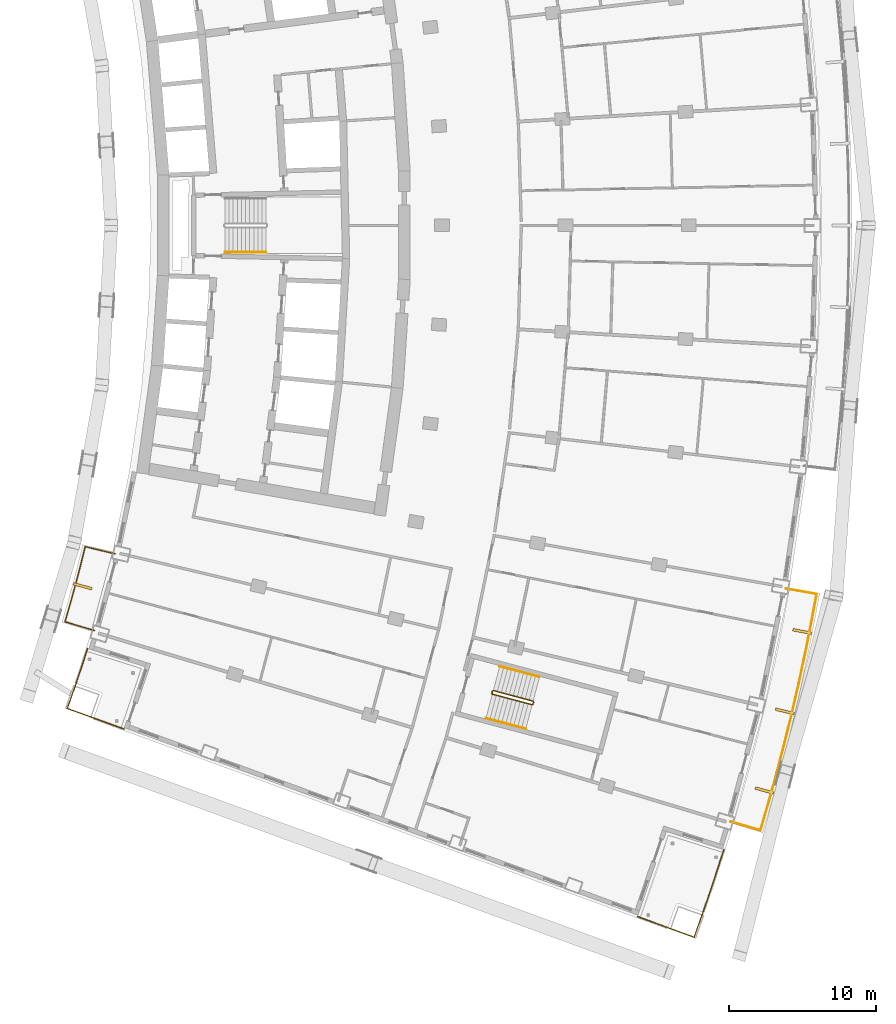
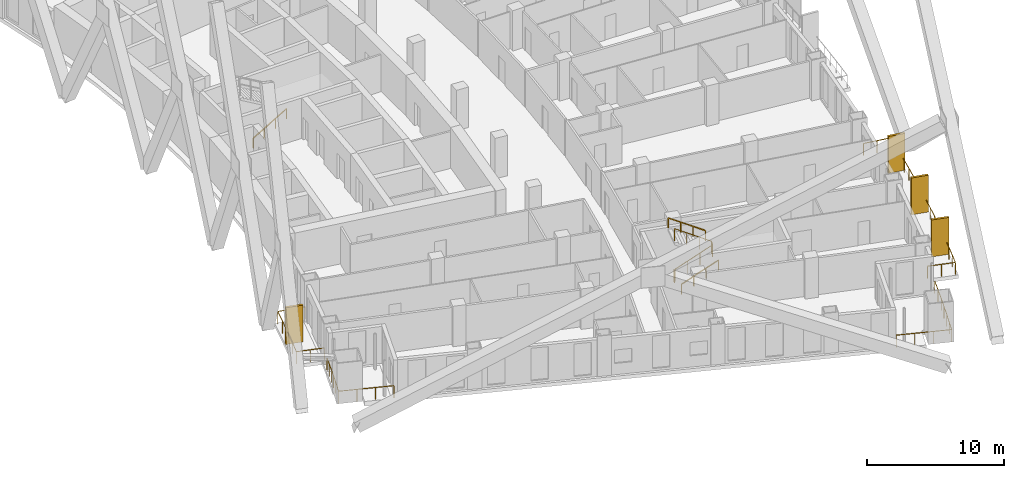
# One storey, part 22 of 24: 8 railings, 4 shading devices.
"""IFC4 building model written with IfcOpenShell, lengths in metres."""

from ifc_helpers import new_model, si_unit, direction, frame, origin, origin_with_axes, origin_2d, place, context, subcontext, project, spatial, rectangle, extrude, material, layer, layer_set, type_object, element, save


model = new_model("IFC4")

# Units and contexts
model_context = context("Model", 3, precision=1e-05, world=origin(), true_north=direction((0.0, 1.0)))
body_context = subcontext(model_context, "Body", "Model", "MODEL_VIEW")
ifc_project = project(units=[si_unit("LENGTHUNIT", "METRE"), si_unit("AREAUNIT", "SQUARE_METRE"), si_unit("VOLUMEUNIT", "CUBIC_METRE"), si_unit("PLANEANGLEUNIT", "RADIAN"), si_unit("MASSUNIT", "GRAM", prefix="KILO")], contexts=[model_context])

# Site, building, storey
site_placement = place(None, origin())
site = spatial("IfcSite", under=ifc_project, at=site_placement, CompositionType="ELEMENT")
building_placement = place(site_placement, origin())
building = spatial("IfcBuilding", under=site, at=building_placement, Name="Alderwake Tower", CompositionType="ELEMENT")
storey_placement = place(building_placement, frame((0.0, 0.0, 104.0)))
storey = spatial("IfcBuildingStorey", under=building, at=storey_placement, Name="L25", CompositionType="ELEMENT", Elevation=104.0)

# Railings
ifc_material_1 = material(Name="Stainless steel 316 rail and posts", Category="steel")
railing_type_1 = type_object("IfcRailingType", Name="Balcony guard 1100", PredefinedType="GUARDRAIL", material=ifc_material_1)
railing_1_placement = place(storey_placement, frame((55.456298828125, 20.43505859375, 0.0)))
element("IfcRailing", 1, at=railing_1_placement, inside=storey, type_object=railing_type_1, Name="Guard BF02", PredefinedType="GUARDRAIL", context=body_context, shape_type="SweptSolid", body=[
    extrude(rectangle(XDim=0.048095703125, YDim=0.048095703125, at=origin_2d()), frame((0.0, 0.0, 1.076171875), z_axis=(0.957954179098, -0.286921227429, 0.0), x_axis=(0.286921227429, 0.957954179098, 0.0)), (0.0, 0.0, 1.0), 2.10009765625),
    extrude(rectangle(XDim=0.048095703125, YDim=0.048095703125, at=origin_2d()), frame((2.01171875, -0.6025390625, 1.076171875), z_axis=(0.28031519248, 0.95990801271, 0.0), x_axis=(-0.95990801271, 0.28031519248, 0.0)), (0.0, 0.0, 1.0), 1.99267578125),
    extrude(rectangle(XDim=0.048095703125, YDim=0.048095703125, at=origin_2d()), frame((2.5703125, 1.310302734375, 1.076171875), z_axis=(0.266452319336, 0.963848100854, 0.0), x_axis=(-0.963848100854, 0.266452319336, 0.0)), (0.0, 0.0, 1.0), 2.0927734375),
    extrude(rectangle(XDim=0.048095703125, YDim=0.048095703125, at=origin_2d()), frame((3.1279296875, 3.327392578125, 1.076171875), z_axis=(0.252459890033, 0.967607360413, 0.0), x_axis=(-0.967607360413, 0.252459890033, 0.0)), (0.0, 0.0, 1.0), 2.0927734375),
    extrude(rectangle(XDim=0.048095703125, YDim=0.048095703125, at=origin_2d()), frame((3.65625, 5.352294921875, 1.076171875), z_axis=(0.238360646186, 0.971176710156, 0.0), x_axis=(-0.971176710156, 0.238360646186, 0.0)), (0.0, 0.0, 1.0), 2.092529296875),
    extrude(rectangle(XDim=0.048095703125, YDim=0.048095703125, at=origin_2d()), frame((4.155029296875, 7.384521484375, 1.076171875), z_axis=(0.224101157754, 0.974565888534, 0.0), x_axis=(-0.974565888534, 0.224101157754, 0.0)), (0.0, 0.0, 1.0), 2.0927734375),
    extrude(rectangle(XDim=0.048095703125, YDim=0.048095703125, at=origin_2d()), frame((4.6240234375, 9.424072265625, 1.076171875), z_axis=(0.209871658439, 0.977728943513, 0.0), x_axis=(-0.977728943513, 0.209871658439, 0.0)), (0.0, 0.0, 1.0), 2.0927734375),
    extrude(rectangle(XDim=0.048095703125, YDim=0.048095703125, at=origin_2d()), frame((5.063232421875, 11.47021484375, 1.076171875), z_axis=(0.195644970766, 0.980674790853, 0.0), x_axis=(-0.980674790853, 0.195644970766, 0.0)), (0.0, 0.0, 1.0), 2.0927734375),
    extrude(rectangle(XDim=0.048095703125, YDim=0.048095703125, at=origin_2d()), frame((5.47265625, 13.5224609375, 1.076171875), z_axis=(0.181580290722, 0.983376122357, 0.0), x_axis=(-0.983376122357, 0.181580290722, 0.0)), (0.0, 0.0, 1.0), 1.99267578125),
    extrude(rectangle(XDim=0.048095703125, YDim=0.048095703125, at=origin_2d()), frame((5.83447265625, 15.48193359375, 1.076171875), z_axis=(-0.984594547275, 0.174853016779, 0.0), x_axis=(-0.174853016779, -0.984594547275, 0.0)), (0.0, 0.0, 1.0), 2.10009765625),
    extrude(rectangle(XDim=0.0419921875, YDim=0.0419921875, at=origin_2d()), frame((0.0, 0.0, 0.0), z_axis=(0.0, 0.0, 1.0), x_axis=(0.957954179098, -0.286921227429, 0.0)), (0.0, 0.0, 1.0), 1.052001953125),
    extrude(rectangle(XDim=0.0419921875, YDim=0.0419921875, at=origin_2d()), frame((1.005859375, -0.30126953125, 0.0), z_axis=(0.0, 0.0, 1.0), x_axis=(0.957954179098, -0.286921227429, 0.0)), (0.0, 0.0, 1.0), 1.052001953125),
    extrude(rectangle(XDim=0.0419921875, YDim=0.0419921875, at=origin_2d()), frame((2.01171875, -0.6025390625, 0.0), z_axis=(0.0, 0.0, 1.0), x_axis=(0.28031519248, 0.95990801271, 0.0)), (0.0, 0.0, 1.0), 1.052001953125),
    extrude(rectangle(XDim=0.0419921875, YDim=0.0419921875, at=origin_2d()), frame((2.291015625, 0.35400390625, 0.0), z_axis=(0.0, 0.0, 1.0), x_axis=(0.28031519248, 0.95990801271, 0.0)), (0.0, 0.0, 1.0), 1.052001953125),
    extrude(rectangle(XDim=0.0419921875, YDim=0.0419921875, at=origin_2d()), frame((2.5703125, 1.310302734375, 0.0), z_axis=(0.0, 0.0, 1.0), x_axis=(0.266452319336, 0.963848100854, 0.0)), (0.0, 0.0, 1.0), 1.052001953125),
    extrude(rectangle(XDim=0.0419921875, YDim=0.0419921875, at=origin_2d()), frame((2.84912109375, 2.31884765625, 0.0), z_axis=(0.0, 0.0, 1.0), x_axis=(0.266452319336, 0.963848100854, 0.0)), (0.0, 0.0, 1.0), 1.052001953125),
    extrude(rectangle(XDim=0.0419921875, YDim=0.0419921875, at=origin_2d()), frame((3.1279296875, 3.327392578125, 0.0), z_axis=(0.0, 0.0, 1.0), x_axis=(0.252459890033, 0.967607360413, 0.0)), (0.0, 0.0, 1.0), 1.052001953125),
    extrude(rectangle(XDim=0.0419921875, YDim=0.0419921875, at=origin_2d()), frame((3.39208984375, 4.33984375, 0.0), z_axis=(0.0, 0.0, 1.0), x_axis=(0.252459890033, 0.967607360413, 0.0)), (0.0, 0.0, 1.0), 1.052001953125),
    extrude(rectangle(XDim=0.0419921875, YDim=0.0419921875, at=origin_2d()), frame((3.65625, 5.352294921875, 0.0), z_axis=(0.0, 0.0, 1.0), x_axis=(0.238360646186, 0.971176710156, 0.0)), (0.0, 0.0, 1.0), 1.052001953125),
    extrude(rectangle(XDim=0.0419921875, YDim=0.0419921875, at=origin_2d()), frame((3.90576171875, 6.368408203125, 0.0), z_axis=(0.0, 0.0, 1.0), x_axis=(0.238360646186, 0.971176710156, 0.0)), (0.0, 0.0, 1.0), 1.052001953125),
    extrude(rectangle(XDim=0.0419921875, YDim=0.0419921875, at=origin_2d()), frame((4.155029296875, 7.384521484375, 0.0), z_axis=(0.0, 0.0, 1.0), x_axis=(0.224101157754, 0.974565888534, 0.0)), (0.0, 0.0, 1.0), 1.052001953125),
    extrude(rectangle(XDim=0.0419921875, YDim=0.0419921875, at=origin_2d()), frame((4.3896484375, 8.404296875, 0.0), z_axis=(0.0, 0.0, 1.0), x_axis=(0.224101157754, 0.974565888534, 0.0)), (0.0, 0.0, 1.0), 1.052001953125),
    extrude(rectangle(XDim=0.0419921875, YDim=0.0419921875, at=origin_2d()), frame((4.6240234375, 9.424072265625, 0.0), z_axis=(0.0, 0.0, 1.0), x_axis=(0.209871658439, 0.977728943513, 0.0)), (0.0, 0.0, 1.0), 1.052001953125),
    extrude(rectangle(XDim=0.0419921875, YDim=0.0419921875, at=origin_2d()), frame((4.84375, 10.447265625, 0.0), z_axis=(0.0, 0.0, 1.0), x_axis=(0.209871658439, 0.977728943513, 0.0)), (0.0, 0.0, 1.0), 1.052001953125),
    extrude(rectangle(XDim=0.0419921875, YDim=0.0419921875, at=origin_2d()), frame((5.063232421875, 11.47021484375, 0.0), z_axis=(0.0, 0.0, 1.0), x_axis=(0.195644970766, 0.980674790853, 0.0)), (0.0, 0.0, 1.0), 1.052001953125),
    extrude(rectangle(XDim=0.0419921875, YDim=0.0419921875, at=origin_2d()), frame((5.26806640625, 12.496337890625, 0.0), z_axis=(0.0, 0.0, 1.0), x_axis=(0.195644970766, 0.980674790853, 0.0)), (0.0, 0.0, 1.0), 1.052001953125),
    extrude(rectangle(XDim=0.0419921875, YDim=0.0419921875, at=origin_2d()), frame((5.47265625, 13.5224609375, 0.0), z_axis=(0.0, 0.0, 1.0), x_axis=(0.181580290722, 0.983376122357, 0.0)), (0.0, 0.0, 1.0), 1.052001953125),
    extrude(rectangle(XDim=0.0419921875, YDim=0.0419921875, at=origin_2d()), frame((5.653564453125, 14.502197265625, 0.0), z_axis=(0.0, 0.0, 1.0), x_axis=(0.181580290722, 0.983376122357, 0.0)), (0.0, 0.0, 1.0), 1.052001953125),
    extrude(rectangle(XDim=0.0419921875, YDim=0.0419921875, at=origin_2d()), frame((5.83447265625, 15.48193359375, 0.0), z_axis=(0.0, 0.0, 1.0), x_axis=(-0.984594547275, 0.174853016779, 0.0)), (0.0, 0.0, 1.0), 1.052001953125),
    extrude(rectangle(XDim=0.0419921875, YDim=0.0419921875, at=origin_2d()), frame((4.80078125, 15.66552734375, 0.0), z_axis=(0.0, 0.0, 1.0), x_axis=(-0.984594547275, 0.174853016779, 0.0)), (0.0, 0.0, 1.0), 1.052001953125),
    extrude(rectangle(XDim=0.0419921875, YDim=0.0419921875, at=origin_2d()), frame((3.766845703125, 15.84912109375, 0.0), z_axis=(0.0, 0.0, 1.0), x_axis=(-0.984594547275, 0.174853016779, 0.0)), (0.0, 0.0, 1.0), 1.052001953125),
])
railing_2_placement = place(storey_placement, frame((12.16650390625, 33.435791015625, 0.0)))
element("IfcRailing", 2, at=railing_2_placement, inside=storey, type_object=railing_type_1, Name="Guard BR02", PredefinedType="GUARDRAIL", context=body_context, shape_type="SweptSolid", body=[
    extrude(rectangle(XDim=0.048095703125, YDim=0.048095703125, at=origin_2d()), frame((0.0, 0.0, 1.076171875), z_axis=(-0.958091458885, 0.286462486918, 0.0), x_axis=(-0.286462486918, -0.958091458885, 0.0)), (0.0, 0.0, 1.0), 2.099853515625),
    extrude(rectangle(XDim=0.048095703125, YDim=0.048095703125, at=origin_2d()), frame((-2.011962890625, 0.6015625, 1.076171875), z_axis=(0.279963157487, 0.960010744966, 0.0), x_axis=(-0.960010744966, 0.279963157487, 0.0)), (0.0, 0.0, 1.0), 1.272216796875),
    extrude(rectangle(XDim=0.048095703125, YDim=0.048095703125, at=origin_2d()), frame((-1.65576171875, 1.822998046875, 1.076171875), z_axis=(0.266487604617, 0.963838345671, 0.0), x_axis=(-0.963838345671, 0.266487604617, 0.0)), (0.0, 0.0, 1.0), 1.372314453125),
    extrude(rectangle(XDim=0.048095703125, YDim=0.048095703125, at=origin_2d()), frame((-1.2900390625, 3.145751953125, 1.076171875), z_axis=(0.252487086228, 0.967600264204, 0.0), x_axis=(-0.967600264204, 0.252487086228, 0.0)), (0.0, 0.0, 1.0), 1.3720703125),
    extrude(rectangle(XDim=0.048095703125, YDim=0.048095703125, at=origin_2d()), frame((-0.943603515625, 4.473388671875, 1.076171875), z_axis=(0.238877101641, 0.971049808358, 0.0), x_axis=(-0.971049808358, 0.238877101641, 0.0)), (0.0, 0.0, 1.0), 1.2724609375),
    extrude(rectangle(XDim=0.048095703125, YDim=0.048095703125, at=origin_2d()), frame((-0.6396484375, 5.708984375, 1.076171875), z_axis=(0.972646310656, -0.232291098337, 0.0), x_axis=(0.232291098337, 0.972646310656, 0.0)), (0.0, 0.0, 1.0), 2.099853515625),
    extrude(rectangle(XDim=0.0419921875, YDim=0.0419921875, at=origin_2d()), frame((0.0, 0.0, 0.0), z_axis=(0.0, 0.0, 1.0), x_axis=(-0.958091458885, 0.286462486918, 0.0)), (0.0, 0.0, 1.0), 1.052001953125),
    extrude(rectangle(XDim=0.0419921875, YDim=0.0419921875, at=origin_2d()), frame((-1.005859375, 0.30078125, 0.0), z_axis=(0.0, 0.0, 1.0), x_axis=(-0.958091458885, 0.286462486918, 0.0)), (0.0, 0.0, 1.0), 1.052001953125),
    extrude(rectangle(XDim=0.0419921875, YDim=0.0419921875, at=origin_2d()), frame((-2.011962890625, 0.6015625, 0.0), z_axis=(0.0, 0.0, 1.0), x_axis=(0.279963157487, 0.960010744966, 0.0)), (0.0, 0.0, 1.0), 1.052001953125),
    extrude(rectangle(XDim=0.0419921875, YDim=0.0419921875, at=origin_2d()), frame((-1.65576171875, 1.822998046875, 0.0), z_axis=(0.0, 0.0, 1.0), x_axis=(0.266487604617, 0.963838345671, 0.0)), (0.0, 0.0, 1.0), 1.052001953125),
    extrude(rectangle(XDim=0.0419921875, YDim=0.0419921875, at=origin_2d()), frame((-1.2900390625, 3.145751953125, 0.0), z_axis=(0.0, 0.0, 1.0), x_axis=(0.252487086228, 0.967600264204, 0.0)), (0.0, 0.0, 1.0), 1.052001953125),
    extrude(rectangle(XDim=0.0419921875, YDim=0.0419921875, at=origin_2d()), frame((-0.943603515625, 4.473388671875, 0.0), z_axis=(0.0, 0.0, 1.0), x_axis=(0.238877101641, 0.971049808358, 0.0)), (0.0, 0.0, 1.0), 1.052001953125),
    extrude(rectangle(XDim=0.0419921875, YDim=0.0419921875, at=origin_2d()), frame((-0.6396484375, 5.708984375, 0.0), z_axis=(0.0, 0.0, 1.0), x_axis=(0.972646310656, -0.232291098337, 0.0)), (0.0, 0.0, 1.0), 1.052001953125),
    extrude(rectangle(XDim=0.0419921875, YDim=0.0419921875, at=origin_2d()), frame((0.381591796875, 5.465087890625, 0.0), z_axis=(0.0, 0.0, 1.0), x_axis=(0.972646310656, -0.232291098337, 0.0)), (0.0, 0.0, 1.0), 1.052001953125),
    extrude(rectangle(XDim=0.0419921875, YDim=0.0419921875, at=origin_2d()), frame((1.40283203125, 5.22119140625, 0.0), z_axis=(0.0, 0.0, 1.0), x_axis=(0.972646310656, -0.232291098337, 0.0)), (0.0, 0.0, 1.0), 1.052001953125),
])
railing_3_placement = place(storey_placement, frame((54.976318359375, 18.530517578125, 0.0)))
element("IfcRailing", 3, at=railing_3_placement, inside=storey, type_object=railing_type_1, Name="Guard terrace FS", PredefinedType="GUARDRAIL", context=body_context, shape_type="SweptSolid", body=[
    extrude(rectangle(XDim=0.048095703125, YDim=0.048095703125, at=origin_2d()), frame((0.0, 0.0, 1.076171875), z_axis=(-0.307736999778, -0.951471459881, 0.0), x_axis=(0.951471459881, -0.307736999778, 0.0)), (0.0, 0.0, 1.0), 2.263427734375),
    extrude(rectangle(XDim=0.048095703125, YDim=0.048095703125, at=origin_2d()), frame((-0.696533203125, -2.153564453125, 1.076171875), z_axis=(-0.322290868596, -0.946640690029, 0.0), x_axis=(0.946640690029, -0.322290868596, 0.0)), (0.0, 0.0, 1.0), 2.0634765625),
    extrude(rectangle(XDim=0.048095703125, YDim=0.048095703125, at=origin_2d()), frame((-1.361572265625, -4.10693359375, 1.076171875), z_axis=(-0.335706204484, -0.941966742656, 0.0), x_axis=(0.941966742656, -0.335706204484, 0.0)), (0.0, 0.0, 1.0), 1.963623046875),
    extrude(rectangle(XDim=0.048095703125, YDim=0.048095703125, at=origin_2d()), frame((-2.020751953125, -5.95654296875, 1.076171875), z_axis=(-0.939624669849, 0.342206779317, 0.0), x_axis=(-0.342206779317, -0.939624669849, 0.0)), (0.0, 0.0, 1.0), 4.10009765625),
    extrude(rectangle(XDim=0.0419921875, YDim=0.0419921875, at=origin_2d()), frame((0.0, 0.0, 0.0), z_axis=(0.0, 0.0, 1.0), x_axis=(-0.307736999778, -0.951471459881, 0.0)), (0.0, 0.0, 1.0), 1.052001953125),
    extrude(rectangle(XDim=0.0419921875, YDim=0.0419921875, at=origin_2d()), frame((-0.34814453125, -1.07666015625, 0.0), z_axis=(0.0, 0.0, 1.0), x_axis=(-0.307736999778, -0.951471459881, 0.0)), (0.0, 0.0, 1.0), 1.052001953125),
    extrude(rectangle(XDim=0.0419921875, YDim=0.0419921875, at=origin_2d()), frame((-0.696533203125, -2.153564453125, 0.0), z_axis=(0.0, 0.0, 1.0), x_axis=(-0.322290868596, -0.946640690029, 0.0)), (0.0, 0.0, 1.0), 1.052001953125),
    extrude(rectangle(XDim=0.0419921875, YDim=0.0419921875, at=origin_2d()), frame((-1.029052734375, -3.13037109375, 0.0), z_axis=(0.0, 0.0, 1.0), x_axis=(-0.322290868596, -0.946640690029, 0.0)), (0.0, 0.0, 1.0), 1.052001953125),
    extrude(rectangle(XDim=0.0419921875, YDim=0.0419921875, at=origin_2d()), frame((-1.361572265625, -4.10693359375, 0.0), z_axis=(0.0, 0.0, 1.0), x_axis=(-0.335706204484, -0.941966742656, 0.0)), (0.0, 0.0, 1.0), 1.052001953125),
    extrude(rectangle(XDim=0.0419921875, YDim=0.0419921875, at=origin_2d()), frame((-1.691162109375, -5.03173828125, 0.0), z_axis=(0.0, 0.0, 1.0), x_axis=(-0.335706204484, -0.941966742656, 0.0)), (0.0, 0.0, 1.0), 1.052001953125),
    extrude(rectangle(XDim=0.0419921875, YDim=0.0419921875, at=origin_2d()), frame((-2.020751953125, -5.95654296875, 0.0), z_axis=(0.0, 0.0, 1.0), x_axis=(-0.939624669849, 0.342206779317, 0.0)), (0.0, 0.0, 1.0), 1.052001953125),
    extrude(rectangle(XDim=0.0419921875, YDim=0.0419921875, at=origin_2d()), frame((-3.304931640625, -5.48876953125, 0.0), z_axis=(0.0, 0.0, 1.0), x_axis=(-0.939624669849, 0.342206779317, 0.0)), (0.0, 0.0, 1.0), 1.052001953125),
    extrude(rectangle(XDim=0.0419921875, YDim=0.0419921875, at=origin_2d()), frame((-4.589111328125, -5.021240234375, 0.0), z_axis=(0.0, 0.0, 1.0), x_axis=(-0.939624669849, 0.342206779317, 0.0)), (0.0, 0.0, 1.0), 1.052001953125),
    extrude(rectangle(XDim=0.0419921875, YDim=0.0419921875, at=origin_2d()), frame((-5.873291015625, -4.553466796875, 0.0), z_axis=(0.0, 0.0, 1.0), x_axis=(-0.939624669849, 0.342206779317, 0.0)), (0.0, 0.0, 1.0), 1.052001953125),
])
railing_4_placement = place(storey_placement, frame((11.688720703125, 32.218017578125, 0.0)))
element("IfcRailing", 4, at=railing_4_placement, inside=storey, type_object=railing_type_1, Name="Guard terrace RS", PredefinedType="GUARDRAIL", context=body_context, shape_type="SweptSolid", body=[
    extrude(rectangle(XDim=0.048095703125, YDim=0.048095703125, at=origin_2d()), frame((0.0, 0.0, 1.076171875), z_axis=(-0.307479326145, -0.951554761426, 0.0), x_axis=(0.951554761426, -0.307479326145, 0.0)), (0.0, 0.0, 1.0), 1.6015625),
    extrude(rectangle(XDim=0.048095703125, YDim=0.048095703125, at=origin_2d()), frame((-0.492431640625, -1.52392578125, 1.076171875), z_axis=(-0.322283727344, -0.946643121292, 0.0), x_axis=(0.946643121292, -0.322283727344, 0.0)), (0.0, 0.0, 1.0), 1.4013671875),
    extrude(rectangle(XDim=0.048095703125, YDim=0.048095703125, at=origin_2d()), frame((-0.944091796875, -2.8505859375, 1.076171875), z_axis=(-0.335468607403, -0.942051385778, 0.0), x_axis=(0.942051385778, -0.335468607403, 0.0)), (0.0, 0.0, 1.0), 1.30126953125),
    extrude(rectangle(XDim=0.048095703125, YDim=0.048095703125, at=origin_2d()), frame((-1.380615234375, -4.076416015625, 1.076171875), z_axis=(0.939708203232, -0.341977327873, 0.0), x_axis=(0.341977327873, 0.939708203232, 0.0)), (0.0, 0.0, 1.0), 4.10009765625),
    extrude(rectangle(XDim=0.0419921875, YDim=0.0419921875, at=origin_2d()), frame((0.0, 0.0, 0.0), z_axis=(0.0, 0.0, 1.0), x_axis=(-0.307479326145, -0.951554761426, 0.0)), (0.0, 0.0, 1.0), 1.052001953125),
    extrude(rectangle(XDim=0.0419921875, YDim=0.0419921875, at=origin_2d()), frame((-0.24609375, -0.761962890625, 0.0), z_axis=(0.0, 0.0, 1.0), x_axis=(-0.307479326145, -0.951554761426, 0.0)), (0.0, 0.0, 1.0), 1.052001953125),
    extrude(rectangle(XDim=0.0419921875, YDim=0.0419921875, at=origin_2d()), frame((-0.492431640625, -1.52392578125, 0.0), z_axis=(0.0, 0.0, 1.0), x_axis=(-0.322283727344, -0.946643121292, 0.0)), (0.0, 0.0, 1.0), 1.052001953125),
    extrude(rectangle(XDim=0.0419921875, YDim=0.0419921875, at=origin_2d()), frame((-0.71826171875, -2.187255859375, 0.0), z_axis=(0.0, 0.0, 1.0), x_axis=(-0.322283727344, -0.946643121292, 0.0)), (0.0, 0.0, 1.0), 1.052001953125),
    extrude(rectangle(XDim=0.0419921875, YDim=0.0419921875, at=origin_2d()), frame((-0.944091796875, -2.8505859375, 0.0), z_axis=(0.0, 0.0, 1.0), x_axis=(-0.335468607403, -0.942051385778, 0.0)), (0.0, 0.0, 1.0), 1.052001953125),
    extrude(rectangle(XDim=0.0419921875, YDim=0.0419921875, at=origin_2d()), frame((-1.380615234375, -4.076416015625, 0.0), z_axis=(0.0, 0.0, 1.0), x_axis=(0.939708203232, -0.341977327873, 0.0)), (0.0, 0.0, 1.0), 1.052001953125),
    extrude(rectangle(XDim=0.0419921875, YDim=0.0419921875, at=origin_2d()), frame((-0.096435546875, -4.543701171875, 0.0), z_axis=(0.0, 0.0, 1.0), x_axis=(0.939708203232, -0.341977327873, 0.0)), (0.0, 0.0, 1.0), 1.052001953125),
    extrude(rectangle(XDim=0.0419921875, YDim=0.0419921875, at=origin_2d()), frame((1.18798828125, -5.01123046875, 0.0), z_axis=(0.0, 0.0, 1.0), x_axis=(0.939708203232, -0.341977327873, 0.0)), (0.0, 0.0, 1.0), 1.052001953125),
    extrude(rectangle(XDim=0.0419921875, YDim=0.0419921875, at=origin_2d()), frame((2.47216796875, -5.478515625, 0.0), z_axis=(0.0, 0.0, 1.0), x_axis=(0.939708203232, -0.341977327873, 0.0)), (0.0, 0.0, 1.0), 1.052001953125),
])

# Shading devices
ifc_material_2 = material(Name="Bronze anodised aluminium", Category="aluminium")
ifc_layer = layer(ifc_material_2, 0.179931640625)
ifc_layer_set = layer_set([ifc_layer], Name="Facade fin 1300")
shading_device_type = type_object("IfcShadingDeviceType", Name="Facade fin 1300", PredefinedType="USERDEFINED", material=ifc_layer_set)
for number, where, z_axis, x_axis, name in (
    (5, (57.735107421875, 22.55419921875, 0.0), (0.0, 0.0, 1.0), (0.96318180783, -0.268850897459, 0.0), "Fin"),
    (6, (59.1259765625, 27.93994140625, 0.0), (0.0, 0.0, 1.0), (0.972908790564, -0.231189284448, 0.0), "Fin"),
    (7, (60.306396484375, 33.37548828125, 0.0), (0.0, 0.0, 1.0), (0.981163751315, -0.193177879441, 0.0), "Fin"),
    (8, (11.359375, 36.45166015625, 0.0), (0.0, 0.0, 1.0), (0.965744448231, -0.259495010957, 0.0), "Fin"),
):
    element("IfcShadingDevice", number, at=place(storey_placement, frame(where, z_axis=z_axis, x_axis=x_axis)), inside=storey, type_object=shading_device_type, Name=name, ObjectType="FIN", PredefinedType="USERDEFINED", context=body_context, shape_type="SweptSolid", body=[
        extrude(rectangle(XDim=1.300048828125, YDim=0.179931640625, at=origin_2d()), origin(), (0.0, 0.0, 1.0), 3.280029296875),
    ])

# Railings
ifc_material_3 = material(Name="Stainless steel guard", Category="steel")
railing_type_2 = type_object("IfcRailingType", Name="Stair guard 1100", PredefinedType="GUARDRAIL", material=ifc_material_3)
railing_5_placement = place(storey_placement, frame((39.1943359375, 29.17431640625, 0.0)))
element("IfcRailing", 9, at=railing_5_placement, inside=storey, type_object=railing_type_2, Name="L25 ST-C stair guard 1", PredefinedType="GUARDRAIL", context=body_context, shape_type="SweptSolid", body=[
    extrude(rectangle(XDim=0.048095703125, YDim=0.048095703125, at=origin_2d()), frame((0.0, 0.0, 1.076171875), z_axis=(0.257459803502, 0.966289009345, 0.0), x_axis=(-0.966289009345, 0.257459803502, 0.0)), (0.0, 0.0, 1.0), 0.14990234375),
    extrude(rectangle(XDim=0.048095703125, YDim=0.048095703125, at=origin_2d()), frame((0.03857421875, 0.144775390625, 1.076171875), z_axis=(-0.012062893862, -0.783160186125, 0.621702991355), x_axis=(0.999881397308, -0.015401016783, 0.0)), (0.0, 0.0, 1.0), 0.26318359375),
    extrude(rectangle(XDim=0.048095703125, YDim=0.048095703125, at=origin_2d()), frame((0.035400390625, -0.061279296875, 1.23974609375), z_axis=(0.834281824786, -0.222214197128, 0.504573768072), x_axis=(0.257380452725, 0.966310148221, 0.0)), (0.0, 0.0, 1.0), 3.2431640625),
    extrude(rectangle(XDim=0.048095703125, YDim=0.048095703125, at=origin_2d()), frame((2.7412109375, -0.781982421875, 2.8759765625), z_axis=(0.865031189262, 0.501718089772, 0.0), x_axis=(-0.501718089772, 0.865031189262, 0.0)), (0.0, 0.0, 1.0), 0.070556640625),
    extrude(rectangle(XDim=0.048095703125, YDim=0.048095703125, at=origin_2d()), frame((2.80224609375, -0.74658203125, 2.8759765625), z_axis=(0.257055032184, 0.966396766566, 0.0), x_axis=(-0.966396766566, 0.257055032184, 0.0)), (0.0, 0.0, 1.0), 0.150146484375),
    extrude(rectangle(XDim=0.048095703125, YDim=0.048095703125, at=origin_2d()), frame((2.8408203125, -0.6015625, 2.8759765625), z_axis=(-0.198625291617, 0.343827228937, 0.91778583023), x_axis=(-0.865898279276, -0.500220121494, 0.0)), (0.0, 0.0, 1.0), 0.17822265625),
    extrude(rectangle(XDim=0.048095703125, YDim=0.048095703125, at=origin_2d()), frame((2.805419921875, -0.540283203125, 3.03955078125), z_axis=(-0.834258940753, 0.22222815314, 0.504605457487), x_axis=(-0.257402139082, -0.966304371715, 0.0)), (0.0, 0.0, 1.0), 3.2431640625),
    extrude(rectangle(XDim=0.0419921875, YDim=0.0419921875, at=origin_2d()), frame((0.0, 0.0, 0.0), z_axis=(0.0, 0.0, 1.0), x_axis=(0.257459803502, 0.966289009345, 0.0)), (0.0, 0.0, 1.0), 1.052001953125),
    extrude(rectangle(XDim=0.0419921875, YDim=0.0419921875, at=origin_2d()), frame((0.03857421875, 0.144775390625, 0.0), z_axis=(0.0, 0.0, 1.0), x_axis=(-0.015401016783, -0.999881397308, 0.0)), (0.0, 0.0, 1.0), 1.052001953125),
    extrude(rectangle(XDim=0.0419921875, YDim=0.0419921875, at=origin_2d()), frame((0.035400390625, -0.061279296875, 0.16357421875), z_axis=(0.0, 0.0, 1.0), x_axis=(0.966310148221, -0.257380452725, 0.0)), (0.0, 0.0, 1.0), 1.052001953125),
    extrude(rectangle(XDim=0.0419921875, YDim=0.0419921875, at=origin_2d()), frame((0.937255859375, -0.301513671875, 0.708984375), z_axis=(0.0, 0.0, 1.0), x_axis=(0.966310148221, -0.257380452725, 0.0)), (0.0, 0.0, 1.0), 1.052001953125),
    extrude(rectangle(XDim=0.0419921875, YDim=0.0419921875, at=origin_2d()), frame((1.83935546875, -0.541748046875, 1.254638671875), z_axis=(0.0, 0.0, 1.0), x_axis=(0.966310148221, -0.257380452725, 0.0)), (0.0, 0.0, 1.0), 1.052001953125),
    extrude(rectangle(XDim=0.0419921875, YDim=0.0419921875, at=origin_2d()), frame((2.7412109375, -0.781982421875, 1.800048828125), z_axis=(0.0, 0.0, 1.0), x_axis=(0.865031189262, 0.501718089772, 0.0)), (0.0, 0.0, 1.0), 1.052001953125),
    extrude(rectangle(XDim=0.0419921875, YDim=0.0419921875, at=origin_2d()), frame((2.80224609375, -0.74658203125, 1.800048828125), z_axis=(0.0, 0.0, 1.0), x_axis=(0.257055032184, 0.966396766566, 0.0)), (0.0, 0.0, 1.0), 1.052001953125),
    extrude(rectangle(XDim=0.0419921875, YDim=0.0419921875, at=origin_2d()), frame((2.8408203125, -0.6015625, 1.800048828125), z_axis=(0.0, 0.0, 1.0), x_axis=(-0.500220121494, 0.865898279276, 0.0)), (0.0, 0.0, 1.0), 1.052001953125),
    extrude(rectangle(XDim=0.0419921875, YDim=0.0419921875, at=origin_2d()), frame((2.805419921875, -0.540283203125, 1.963623046875), z_axis=(0.0, 0.0, 1.0), x_axis=(-0.966304371715, 0.257402139082, 0.0)), (0.0, 0.0, 1.0), 1.052001953125),
    extrude(rectangle(XDim=0.0419921875, YDim=0.0419921875, at=origin_2d()), frame((1.903564453125, -0.300048828125, 2.509033203125), z_axis=(0.0, 0.0, 1.0), x_axis=(-0.966304371715, 0.257402139082, 0.0)), (0.0, 0.0, 1.0), 1.052001953125),
    extrude(rectangle(XDim=0.0419921875, YDim=0.0419921875, at=origin_2d()), frame((1.001708984375, -0.059814453125, 3.0546875), z_axis=(0.0, 0.0, 1.0), x_axis=(-0.966304371715, 0.257402139082, 0.0)), (0.0, 0.0, 1.0), 1.052001953125),
    extrude(rectangle(XDim=0.0419921875, YDim=0.0419921875, at=origin_2d()), frame((0.099853515625, 0.180419921875, 3.60009765625), z_axis=(0.0, 0.0, 1.0), x_axis=(-0.966304371715, 0.257402139082, 0.0)), (0.0, 0.0, 1.0), 1.052001953125),
])
ifc_material_4 = material(Name="Stainless steel handrail", Category="steel")
railing_type_3 = type_object("IfcRailingType", Name="Stair handrail 900", PredefinedType="HANDRAIL", material=ifc_material_4)
railing_6_placement = place(storey_placement, frame((21.0400390625, 59.175048828125, 0.16357421875)))
element("IfcRailing", 10, at=railing_6_placement, inside=storey, type_object=railing_type_3, Name="L25 ST-B stair handrail 1", PredefinedType="HANDRAIL", context=body_context, shape_type="SweptSolid", body=[
    extrude(rectangle(XDim=0.048095703125, YDim=0.048095703125, at=origin_2d()), frame((0.0, 0.0, 0.8759765625), z_axis=(0.863360870873, 0.0, 0.504586966384), x_axis=(0.0, 1.0, 0.0)), (0.0, 0.0, 1.0), 3.2431640625),
    extrude(rectangle(XDim=0.0419921875, YDim=0.0419921875, at=origin_2d()), origin_with_axes(), (0.0, 0.0, 1.0), 0.851806640625),
    extrude(rectangle(XDim=0.0419921875, YDim=0.0419921875, at=origin_2d()), frame((0.933349609375, 0.0, 0.54541015625), z_axis=(0.0, 0.0, 1.0), x_axis=(1.0, 0.0, 0.0)), (0.0, 0.0, 1.0), 0.851806640625),
    extrude(rectangle(XDim=0.0419921875, YDim=0.0419921875, at=origin_2d()), frame((1.86669921875, 0.0, 1.091064453125), z_axis=(0.0, 0.0, 1.0), x_axis=(1.0, 0.0, 0.0)), (0.0, 0.0, 1.0), 0.851806640625),
    extrude(rectangle(XDim=0.0419921875, YDim=0.0419921875, at=origin_2d()), frame((2.800048828125, 0.0, 1.636474609375), z_axis=(0.0, 0.0, 1.0), x_axis=(1.0, 0.0, 0.0)), (0.0, 0.0, 1.0), 0.851806640625),
])
railing_7_placement = place(storey_placement, frame((38.792236328125, 27.47021484375, 0.16357421875)))
element("IfcRailing", 11, at=railing_7_placement, inside=storey, type_object=railing_type_3, Name="L25 ST-C stair handrail 1", PredefinedType="HANDRAIL", context=body_context, shape_type="SweptSolid", body=[
    extrude(rectangle(XDim=0.048095703125, YDim=0.048095703125, at=origin_2d()), frame((0.0, 0.0, 0.8759765625), z_axis=(0.834272895437, -0.222156588561, 0.504613898043), x_axis=(0.25732071773, 0.966326056891, 0.0)), (0.0, 0.0, 1.0), 3.242919921875),
    extrude(rectangle(XDim=0.0419921875, YDim=0.0419921875, at=origin_2d()), frame((0.0, 0.0, 0.0), z_axis=(0.0, 0.0, 1.0), x_axis=(0.966326056891, -0.25732071773, 0.0)), (0.0, 0.0, 1.0), 0.851806640625),
    extrude(rectangle(XDim=0.0419921875, YDim=0.0419921875, at=origin_2d()), frame((0.90185546875, -0.240234375, 0.54541015625), z_axis=(0.0, 0.0, 1.0), x_axis=(0.966326056891, -0.25732071773, 0.0)), (0.0, 0.0, 1.0), 0.851806640625),
    extrude(rectangle(XDim=0.0419921875, YDim=0.0419921875, at=origin_2d()), frame((1.8037109375, -0.480224609375, 1.091064453125), z_axis=(0.0, 0.0, 1.0), x_axis=(0.966326056891, -0.25732071773, 0.0)), (0.0, 0.0, 1.0), 0.851806640625),
    extrude(rectangle(XDim=0.0419921875, YDim=0.0419921875, at=origin_2d()), frame((2.70556640625, -0.720458984375, 1.636474609375), z_axis=(0.0, 0.0, 1.0), x_axis=(0.966326056891, -0.25732071773, 0.0)), (0.0, 0.0, 1.0), 0.851806640625),
])
railing_8_placement = place(storey_placement, frame((42.437255859375, 30.276611328125, 1.963623046875)))
element("IfcRailing", 12, at=railing_8_placement, inside=storey, type_object=railing_type_3, Name="L25 ST-C stair handrail 2", PredefinedType="HANDRAIL", context=body_context, shape_type="SweptSolid", body=[
    extrude(rectangle(XDim=0.048095703125, YDim=0.048095703125, at=origin_2d()), frame((0.0, 0.0, 0.8759765625), z_axis=(-0.834258940753, 0.22222815314, 0.504605457487), x_axis=(-0.257402139082, -0.966304371715, 0.0)), (0.0, 0.0, 1.0), 3.2431640625),
    extrude(rectangle(XDim=0.0419921875, YDim=0.0419921875, at=origin_2d()), frame((0.0, 0.0, 0.0), z_axis=(0.0, 0.0, 1.0), x_axis=(-0.966304371715, 0.257402139082, 0.0)), (0.0, 0.0, 1.0), 0.851806640625),
    extrude(rectangle(XDim=0.0419921875, YDim=0.0419921875, at=origin_2d()), frame((-0.90185546875, 0.240234375, 0.54541015625), z_axis=(0.0, 0.0, 1.0), x_axis=(-0.966304371715, 0.257402139082, 0.0)), (0.0, 0.0, 1.0), 0.851806640625),
    extrude(rectangle(XDim=0.0419921875, YDim=0.0419921875, at=origin_2d()), frame((-1.8037109375, 0.48046875, 1.091064453125), z_axis=(0.0, 0.0, 1.0), x_axis=(-0.966304371715, 0.257402139082, 0.0)), (0.0, 0.0, 1.0), 0.851806640625),
    extrude(rectangle(XDim=0.0419921875, YDim=0.0419921875, at=origin_2d()), frame((-2.70556640625, 0.720703125, 1.636474609375), z_axis=(0.0, 0.0, 1.0), x_axis=(-0.966304371715, 0.257402139082, 0.0)), (0.0, 0.0, 1.0), 0.851806640625),
])

save(model, "model.ifc")
